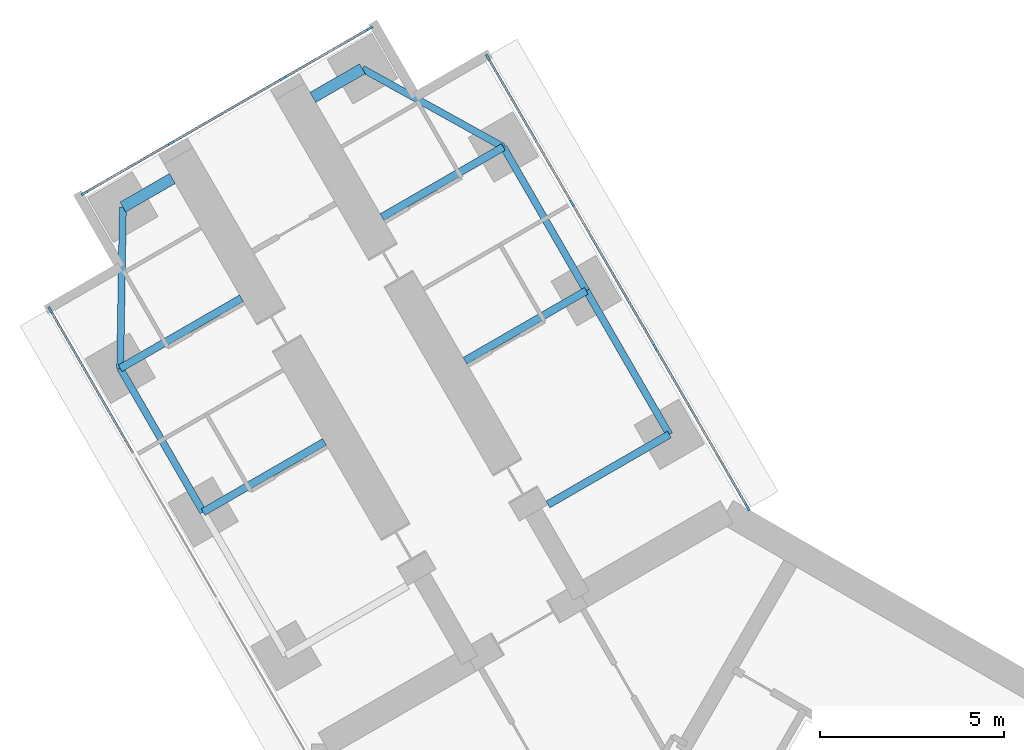
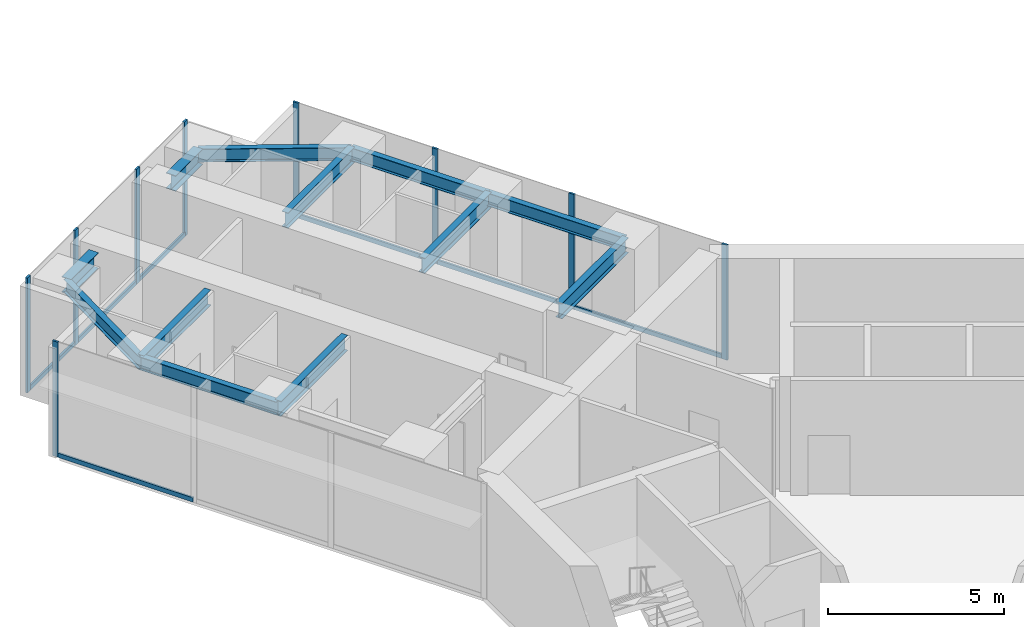
# One storey, part 7 of 25: 16 members, 12 beams, 3 elements without a shape of their own.
"""IFC4 building model written with IfcOpenShell, lengths in metres."""

from ifc_helpers import new_model, si_unit, direction, frame, origin, origin_2d, place, context, subcontext, project, spatial, rectangle, i_section, extrude, material, material_profile, profile_set, type_object, element, aggregate, save


model = new_model("IFC4")

# Units and contexts
model_context = context("Model", 3, precision=1e-05, world=origin(), true_north=direction((0.0, 1.0)))
body_context = subcontext(model_context, "Body", "Model", "MODEL_VIEW")
ifc_project = project(units=[si_unit("LENGTHUNIT", "METRE"), si_unit("AREAUNIT", "SQUARE_METRE"), si_unit("VOLUMEUNIT", "CUBIC_METRE"), si_unit("PLANEANGLEUNIT", "RADIAN"), si_unit("MASSUNIT", "GRAM", prefix="KILO")], contexts=[model_context])

# Site, building, storey
site_placement = place(None, origin())
site = spatial("IfcSite", under=ifc_project, at=site_placement, CompositionType="ELEMENT")
building_placement = place(site_placement, origin())
building = spatial("IfcBuilding", under=site, at=building_placement, Name="Upepo Twin Towers", CompositionType="ELEMENT")
storey_placement = place(building_placement, frame((0.0, 0.0, 76.5)))
storey = spatial("IfcBuildingStorey", under=building, at=storey_placement, Name="L18", CompositionType="ELEMENT", Elevation=76.5)

# Beams
ifc_material_1 = material(Name="Steel S355", Category="steel")
ifc_material_profile_1 = material_profile(ifc_material_1, i_section(OverallWidth=0.1904296875, OverallDepth=0.45703125, WebThickness=0.009033203125, FlangeThickness=0.014404296875, FilletRadius=0.01025390625, at=origin_2d()), Name="UB 457x191x74")
ifc_profile_set_1 = profile_set([ifc_material_profile_1], Name="Steel S355")
beam_type_1 = type_object("IfcBeamType", Name="Beam UB 457x191x74", PredefinedType="BEAM", material=ifc_profile_set_1)
beam_1_placement = place(storey_placement, frame((-14.196044921875, 12.58837890625, 3.571533203125), z_axis=(-0.499990139034, 0.866031096941, 0.0), x_axis=(-0.866031096941, -0.499990139034, 0.0)))
element("IfcBeam", 1, at=beam_1_placement, inside=storey, type_object=beam_type_1, Name="T1 edge beam BL 18.0-22.5", PredefinedType="BEAM", context=body_context, shape_type="SweptSolid", body=[
    extrude(i_section(OverallWidth=0.1904296875, OverallDepth=0.45703125, WebThickness=0.009033203125, FlangeThickness=0.014404296875, FilletRadius=0.01025390625, at=origin_2d()), origin(), (0.0, 0.0, 1.0), 4.5),
])
beam_2_placement = place(storey_placement, frame((-16.446044921875, 16.485595703125, 3.571533203125), z_axis=(0.016803880528, 0.999858804832, 0.0), x_axis=(-0.999858804832, 0.016803880528, 0.0)))
element("IfcBeam", 2, at=beam_2_placement, inside=storey, type_object=beam_type_1, Name="T1 nose edge beam BL", PredefinedType="BEAM", context=body_context, shape_type="SweptSolid", body=[
    extrude(i_section(OverallWidth=0.1904296875, OverallDepth=0.45703125, WebThickness=0.009033203125, FlangeThickness=0.014404296875, FilletRadius=0.01025390625, at=origin_2d()), origin(), (0.0, 0.0, 1.0), 4.373291015625),
])
beam_3_placement = place(storey_placement, frame((-1.553955078125, 14.69140625, 3.571533203125), z_axis=(-0.500013631625, 0.866017533419, 0.0), x_axis=(-0.866017533419, -0.500013631625, 0.0)))
element("IfcBeam", 3, at=beam_3_placement, inside=storey, type_object=beam_type_1, Name="T1 edge beam BR 13.5-18.0", PredefinedType="BEAM", context=body_context, shape_type="SweptSolid", body=[
    extrude(i_section(OverallWidth=0.1904296875, OverallDepth=0.45703125, WebThickness=0.009033203125, FlangeThickness=0.014404296875, FilletRadius=0.01025390625, at=origin_2d()), origin(), (0.0, 0.0, 1.0), 4.499755859375),
])
beam_4_placement = place(storey_placement, frame((-3.803955078125, 18.58837890625, 3.571533203125), z_axis=(-0.499990139034, 0.866031096941, 0.0), x_axis=(-0.866031096941, -0.499990139034, 0.0)))
element("IfcBeam", 4, at=beam_4_placement, inside=storey, type_object=beam_type_1, Name="T1 edge beam BR 18.0-22.5", PredefinedType="BEAM", context=body_context, shape_type="SweptSolid", body=[
    extrude(i_section(OverallWidth=0.1904296875, OverallDepth=0.45703125, WebThickness=0.009033203125, FlangeThickness=0.014404296875, FilletRadius=0.01025390625, at=origin_2d()), origin(), (0.0, 0.0, 1.0), 4.5),
])
beam_5_placement = place(storey_placement, frame((-6.053955078125, 22.485595703125, 3.571533203125), z_axis=(-0.874312600038, 0.485363242752, 0.0), x_axis=(-0.485363242752, -0.874312600038, 0.0)))
element("IfcBeam", 5, at=beam_5_placement, inside=storey, type_object=beam_type_1, Name="T1 nose edge beam BR", PredefinedType="BEAM", context=body_context, shape_type="SweptSolid", body=[
    extrude(i_section(OverallWidth=0.1904296875, OverallDepth=0.45703125, WebThickness=0.009033203125, FlangeThickness=0.014404296875, FilletRadius=0.01025390625, at=origin_2d()), origin(), (0.0, 0.0, 1.0), 4.373046875),
])
ifc_material_2 = material(Name="Steel S355", Category="steel")
ifc_material_profile_2 = material_profile(ifc_material_2, i_section(OverallWidth=0.209228515625, OverallDepth=0.533203125, WebThickness=0.010009765625, FlangeThickness=0.015625, FilletRadius=0.0126953125, at=origin_2d()), Name="UB 533x210x92")
ifc_profile_set_2 = profile_set([ifc_material_profile_2], Name="Steel S355")
beam_type_2 = type_object("IfcBeamType", Name="Beam UB 533x210x92", PredefinedType="BEAM", material=ifc_profile_set_2)
beam_6_placement = place(storey_placement, frame((-14.196044921875, 12.58837890625, 3.533447265625), z_axis=(0.866000483506, 0.500043160704, 0.0), x_axis=(-0.500043160704, 0.866000483506, 0.0)))
element("IfcBeam", 6, at=beam_6_placement, inside=storey, type_object=beam_type_2, Name="T1 girder BL at 18.0", PredefinedType="BEAM", context=body_context, shape_type="SweptSolid", body=[
    extrude(i_section(OverallWidth=0.209228515625, OverallDepth=0.533203125, WebThickness=0.010009765625, FlangeThickness=0.015625, FilletRadius=0.0126953125, at=origin_2d()), origin(), (0.0, 0.0, 1.0), 3.800048828125),
])
beam_7_placement = place(storey_placement, frame((-16.446044921875, 16.485595703125, 3.533447265625), z_axis=(0.866028304915, 0.499994975061, 0.0), x_axis=(-0.499994975061, 0.866028304915, 0.0)))
element("IfcBeam", 7, at=beam_7_placement, inside=storey, type_object=beam_type_2, Name="T1 girder BL at 22.5", PredefinedType="BEAM", context=body_context, shape_type="SweptSolid", body=[
    extrude(i_section(OverallWidth=0.209228515625, OverallDepth=0.533203125, WebThickness=0.010009765625, FlangeThickness=0.015625, FilletRadius=0.0126953125, at=origin_2d()), origin(), (0.0, 0.0, 1.0), 3.7998046875),
])
beam_8_placement = place(storey_placement, frame((-1.553955078125, 14.69140625, 3.533447265625), z_axis=(-0.866000483506, -0.500043160704, 0.0), x_axis=(0.500043160704, -0.866000483506, 0.0)))
element("IfcBeam", 8, at=beam_8_placement, inside=storey, type_object=beam_type_2, Name="T1 girder BR at 13.5", PredefinedType="BEAM", context=body_context, shape_type="SweptSolid", body=[
    extrude(i_section(OverallWidth=0.209228515625, OverallDepth=0.533203125, WebThickness=0.010009765625, FlangeThickness=0.015625, FilletRadius=0.0126953125, at=origin_2d()), origin(), (0.0, 0.0, 1.0), 3.800048828125),
])
for number, where, z_axis, x_axis, name in (
    (9, (-3.803955078125, 18.58837890625, 3.533447265625), (-0.866028304915, -0.499994975061, 0.0), (0.499994975061, -0.866028304915, 0.0), "T1 girder BR at 18.0"),
    (10, (-6.053955078125, 22.485595703125, 3.533447265625), (-0.866028304915, -0.499994975061, 0.0), (0.499994975061, -0.866028304915, 0.0), "T1 girder BR at 22.5"),
):
    element("IfcBeam", number, at=place(storey_placement, frame(where, z_axis=z_axis, x_axis=x_axis)), inside=storey, type_object=beam_type_2, Name=name, PredefinedType="BEAM", context=body_context, shape_type="SweptSolid", body=[
        extrude(i_section(OverallWidth=0.209228515625, OverallDepth=0.533203125, WebThickness=0.010009765625, FlangeThickness=0.015625, FilletRadius=0.0126953125, at=origin_2d()), origin(), (0.0, 0.0, 1.0), 3.7998046875),
    ])
ifc_material_3 = material(Name="Steel S355", Category="steel")
ifc_material_profile_3 = material_profile(ifc_material_3, i_section(OverallWidth=0.31201171875, OverallDepth=0.54345703125, WebThickness=0.0126953125, FlangeThickness=0.020263671875, FilletRadius=0.0126953125, at=origin_2d()), Name="UB 533x312x150")
ifc_profile_set_3 = profile_set([ifc_material_profile_3], Name="Steel S355")
beam_type_3 = type_object("IfcBeamType", Name="Beam UB 533x312x150", PredefinedType="BEAM", material=ifc_profile_set_3)
for number, where, z_axis, x_axis, name in (
    (11, (-16.37255859375, 20.858154296875, 3.5283203125), (0.866043940782, 0.499967891604, 0.0), (-0.499967891604, 0.866043940782, 0.0), "T1 nose beam BL"),
    (12, (-9.87744140625, 24.608154296875, 3.5283203125), (-0.866043940782, -0.499967891604, 0.0), (0.499967891604, -0.866043940782, 0.0), "T1 nose beam BR"),
):
    element("IfcBeam", number, at=place(storey_placement, frame(where, z_axis=z_axis, x_axis=x_axis)), inside=storey, type_object=beam_type_3, Name=name, PredefinedType="BEAM", context=body_context, shape_type="SweptSolid", body=[
        extrude(i_section(OverallWidth=0.31201171875, OverallDepth=0.54345703125, WebThickness=0.0126953125, FlangeThickness=0.020263671875, FilletRadius=0.0126953125, at=origin_2d()), origin(), (0.0, 0.0, 1.0), 1.5498046875),
    ])

# Curtain wall, member
ifc_material_4 = material(Name="Aluminium and fritted glass", Category="aluminium")
curtain_wall_type = type_object("IfcCurtainWallType", Name="Tower curtain wall TW1, fritted glass", PredefinedType="NOTDEFINED", material=ifc_material_4)
curtain_wall_1_placement = place(storey_placement, origin())
curtain_wall_1 = element("IfcCurtainWall", 13, at=curtain_wall_1_placement, inside=storey, type_object=curtain_wall_type, Name="T1 L18 wing B flank L curtain wall", PredefinedType="NOTDEFINED")
ifc_material_5 = material(Name="Aluminium mullion", Category="aluminium")
ifc_material_profile_4 = material_profile(ifc_material_5, rectangle(XDim=0.06494140625, YDim=0.179931640625, at=origin_2d()), Name="MULLION 65x180")
ifc_profile_set_4 = profile_set([ifc_material_profile_4], Name="Aluminium mullion")
member_type_1 = type_object("IfcMemberType", Name="Mullion 65x180 TW1", PredefinedType="MULLION", material=ifc_profile_set_4)
member_1_placement = place(storey_placement, frame((-18.341064453125, 18.067626953125, 0.0), z_axis=(0.0, 0.0, 1.0), x_axis=(-0.866025389682, -0.500000024426, 0.0)))
member_1 = element("IfcMember", 14, at=member_1_placement, type_object=member_type_1, Name="T1 L18 wing B flank L curtain wall mullion 4", PredefinedType="MULLION", context=body_context, shape_type="SweptSolid", body=[
    extrude(rectangle(XDim=0.06494140625, YDim=0.179931640625, at=origin_2d()), origin(), (0.0, 0.0, 1.0), 4.0),
])

# Curtain wall, members
curtain_wall_2_placement = place(storey_placement, origin())
curtain_wall_2 = element("IfcCurtainWall", 15, at=curtain_wall_2_placement, inside=storey, type_object=curtain_wall_type, Name="T1 L18 wing B flank R curtain wall", PredefinedType="NOTDEFINED")
member_2_placement = place(storey_placement, frame((-6.4765625, 24.91748046875, 0.0), z_axis=(0.0, 0.0, 1.0), x_axis=(0.866025389682, 0.500000024426, 0.0)))
member_2 = element("IfcMember", 16, at=member_2_placement, type_object=member_type_1, Name="T1 L18 wing B flank R curtain wall mullion 1", PredefinedType="MULLION", context=body_context, shape_type="SweptSolid", body=[
    extrude(rectangle(XDim=0.06494140625, YDim=0.179931640625, at=origin_2d()), origin(), (0.0, 0.0, 1.0), 4.0),
])
member_3_placement = place(storey_placement, frame((-4.192626953125, 20.9619140625, 0.0), z_axis=(0.0, 0.0, 1.0), x_axis=(0.866025389682, 0.500000024426, 0.0)))
member_3 = element("IfcMember", 17, at=member_3_placement, type_object=member_type_1, Name="T1 L18 wing B flank R curtain wall mullion 2", PredefinedType="MULLION", context=body_context, shape_type="SweptSolid", body=[
    extrude(rectangle(XDim=0.06494140625, YDim=0.179931640625, at=origin_2d()), origin(), (0.0, 0.0, 1.0), 4.0),
])
member_4_placement = place(storey_placement, frame((-1.942626953125, 17.06494140625, 0.0), z_axis=(0.0, 0.0, 1.0), x_axis=(0.866025389682, 0.500000024426, 0.0)))
member_4 = element("IfcMember", 18, at=member_4_placement, type_object=member_type_1, Name="T1 L18 wing B flank R curtain wall mullion 3", PredefinedType="MULLION", context=body_context, shape_type="SweptSolid", body=[
    extrude(rectangle(XDim=0.06494140625, YDim=0.179931640625, at=origin_2d()), origin(), (0.0, 0.0, 1.0), 4.0),
])
member_5_placement = place(storey_placement, frame((0.572509765625, 12.70849609375, 0.0), z_axis=(0.0, 0.0, 1.0), x_axis=(0.866025389682, 0.500000024426, 0.0)))
member_5 = element("IfcMember", 19, at=member_5_placement, type_object=member_type_1, Name="T1 L18 wing B flank R curtain wall mullion 4", PredefinedType="MULLION", context=body_context, shape_type="SweptSolid", body=[
    extrude(rectangle(XDim=0.06494140625, YDim=0.179931640625, at=origin_2d()), origin(), (0.0, 0.0, 1.0), 4.0),
])

curtain_wall_3_placement = place(storey_placement, origin())
curtain_wall_3 = element("IfcCurtainWall", 20, at=curtain_wall_3_placement, inside=storey, type_object=curtain_wall_type, Name="T1 L18 wing B nose curtain wall", PredefinedType="NOTDEFINED")
member_6_placement = place(storey_placement, frame((-9.68115234375, 25.703125, 0.0), z_axis=(0.0, 0.0, 1.0), x_axis=(0.500000030502, -0.866025386174, 0.0)))
member_6 = element("IfcMember", 21, at=member_6_placement, type_object=member_type_1, Name="T1 L18 wing B nose curtain wall mullion 1", PredefinedType="MULLION", context=body_context, shape_type="SweptSolid", body=[
    extrude(rectangle(XDim=0.06494140625, YDim=0.179931640625, at=origin_2d()), origin(), (0.0, 0.0, 1.0), 4.0),
])
member_7_placement = place(storey_placement, frame((-12.034423828125, 24.34423828125, 0.0), z_axis=(0.0, 0.0, 1.0), x_axis=(0.500000030502, -0.866025386174, 0.0)))
member_7 = element("IfcMember", 22, at=member_7_placement, type_object=member_type_1, Name="T1 L18 wing B nose curtain wall mullion 2", PredefinedType="MULLION", context=body_context, shape_type="SweptSolid", body=[
    extrude(rectangle(XDim=0.06494140625, YDim=0.179931640625, at=origin_2d()), origin(), (0.0, 0.0, 1.0), 4.0),
])
member_8_placement = place(storey_placement, frame((-15.0654296875, 22.59423828125, 0.0), z_axis=(0.0, 0.0, 1.0), x_axis=(0.500000030502, -0.866025386174, 0.0)))
member_8 = element("IfcMember", 23, at=member_8_placement, type_object=member_type_1, Name="T1 L18 wing B nose curtain wall mullion 3", PredefinedType="MULLION", context=body_context, shape_type="SweptSolid", body=[
    extrude(rectangle(XDim=0.06494140625, YDim=0.179931640625, at=origin_2d()), origin(), (0.0, 0.0, 1.0), 4.0),
])
member_9_placement = place(storey_placement, frame((-17.4189453125, 21.235595703125, 0.0), z_axis=(0.0, 0.0, 1.0), x_axis=(0.500000030502, -0.866025386174, 0.0)))
member_9 = element("IfcMember", 24, at=member_9_placement, type_object=member_type_1, Name="T1 L18 wing B nose curtain wall mullion 4", PredefinedType="MULLION", context=body_context, shape_type="SweptSolid", body=[
    extrude(rectangle(XDim=0.06494140625, YDim=0.179931640625, at=origin_2d()), origin(), (0.0, 0.0, 1.0), 4.0),
])

# Member
ifc_material_6 = material(Name="Aluminium transom", Category="aluminium")
ifc_material_profile_5 = material_profile(ifc_material_6, rectangle(XDim=0.06494140625, YDim=0.14990234375, at=origin_2d()), Name="TRANSOM 65x150")
ifc_profile_set_5 = profile_set([ifc_material_profile_5], Name="Aluminium transom")
member_type_2 = type_object("IfcMemberType", Name="Transom 65x150 TW1", PredefinedType="USERDEFINED", material=ifc_profile_set_5)
member_10_placement = place(storey_placement, frame((-16.073486328125, 14.14013671875, 0.074951171875), z_axis=(-0.499982167615, 0.866035699072, 0.0), x_axis=(-0.866035699072, -0.499982167615, 0.0)))
member_10 = element("IfcMember", 25, at=member_10_placement, type_object=member_type_2, Name="T1 L18 wing B flank L curtain wall transom 3", ObjectType="TRANSOM", PredefinedType="USERDEFINED", context=body_context, shape_type="SweptSolid", body=[
    extrude(rectangle(XDim=0.06494140625, YDim=0.14990234375, at=origin_2d()), origin(), (0.0, 0.0, 1.0), 4.502685546875),
])

aggregate(curtain_wall_1, [member_1, member_10])

member_11_placement = place(storey_placement, frame((-6.460205078125, 24.889404296875, 0.074951171875), z_axis=(0.500005646842, -0.866022143554, 0.0), x_axis=(0.866022143554, 0.500005646842, 0.0)))
member_11 = element("IfcMember", 26, at=member_11_placement, type_object=member_type_2, Name="T1 L18 wing B flank R curtain wall transom 1", ObjectType="TRANSOM", PredefinedType="USERDEFINED", context=body_context, shape_type="SweptSolid", body=[
    extrude(rectangle(XDim=0.06494140625, YDim=0.14990234375, at=origin_2d()), origin(), (0.0, 0.0, 1.0), 4.50244140625),
])

member_12_placement = place(storey_placement, frame((-4.176513671875, 20.933837890625, 0.074951171875), z_axis=(0.500005184116, -0.866022410713, 0.0), x_axis=(0.866022410713, 0.500005184116, 0.0)))
member_12 = element("IfcMember", 27, at=member_12_placement, type_object=member_type_2, Name="T1 L18 wing B flank R curtain wall transom 2", ObjectType="TRANSOM", PredefinedType="USERDEFINED", context=body_context, shape_type="SweptSolid", body=[
    extrude(rectangle(XDim=0.06494140625, YDim=0.14990234375, at=origin_2d()), origin(), (0.0, 0.0, 1.0), 4.43505859375),
])

member_13_placement = place(storey_placement, frame((-1.926513671875, 17.036865234375, 0.074951171875), z_axis=(0.499983492876, -0.866034933967, 0.0), x_axis=(0.866034933967, 0.499983492876, 0.0)))
member_13 = element("IfcMember", 28, at=member_13_placement, type_object=member_type_2, Name="T1 L18 wing B flank R curtain wall transom 3", ObjectType="TRANSOM", PredefinedType="USERDEFINED", context=body_context, shape_type="SweptSolid", body=[
    extrude(rectangle(XDim=0.06494140625, YDim=0.14990234375, at=origin_2d()), origin(), (0.0, 0.0, 1.0), 4.965576171875),
])

aggregate(curtain_wall_2, [member_2, member_3, member_4, member_5, member_11, member_12, member_13])

member_14_placement = place(storey_placement, frame((-9.709228515625, 25.686767578125, 0.074951171875), z_axis=(-0.866036909293, -0.499980071345, 0.0), x_axis=(0.499980071345, -0.866036909293, 0.0)))
member_14 = element("IfcMember", 29, at=member_14_placement, type_object=member_type_2, Name="T1 L18 wing B nose curtain wall transom 1", ObjectType="TRANSOM", PredefinedType="USERDEFINED", context=body_context, shape_type="SweptSolid", body=[
    extrude(rectangle(XDim=0.06494140625, YDim=0.14990234375, at=origin_2d()), origin(), (0.0, 0.0, 1.0), 2.65234375),
])

member_15_placement = place(storey_placement, frame((-12.0625, 24.328125, 0.074951171875), z_axis=(-0.866025804792, -0.499999305434, 0.0), x_axis=(0.499999305434, -0.866025804792, 0.0)))
member_15 = element("IfcMember", 30, at=member_15_placement, type_object=member_type_2, Name="T1 L18 wing B nose curtain wall transom 2", ObjectType="TRANSOM", PredefinedType="USERDEFINED", context=body_context, shape_type="SweptSolid", body=[
    extrude(rectangle(XDim=0.06494140625, YDim=0.14990234375, at=origin_2d()), origin(), (0.0, 0.0, 1.0), 3.43505859375),
])

member_16_placement = place(storey_placement, frame((-15.09375, 22.578125, 0.074951171875), z_axis=(-0.865997053448, -0.500049101008, 0.0), x_axis=(0.500049101008, -0.865997053448, 0.0)))
member_16 = element("IfcMember", 31, at=member_16_placement, type_object=member_type_2, Name="T1 L18 wing B nose curtain wall transom 3", ObjectType="TRANSOM", PredefinedType="USERDEFINED", context=body_context, shape_type="SweptSolid", body=[
    extrude(rectangle(XDim=0.06494140625, YDim=0.14990234375, at=origin_2d()), origin(), (0.0, 0.0, 1.0), 2.652587890625),
])

aggregate(curtain_wall_3, [member_6, member_7, member_8, member_9, member_14, member_15, member_16])

save(model, "model.ifc")
